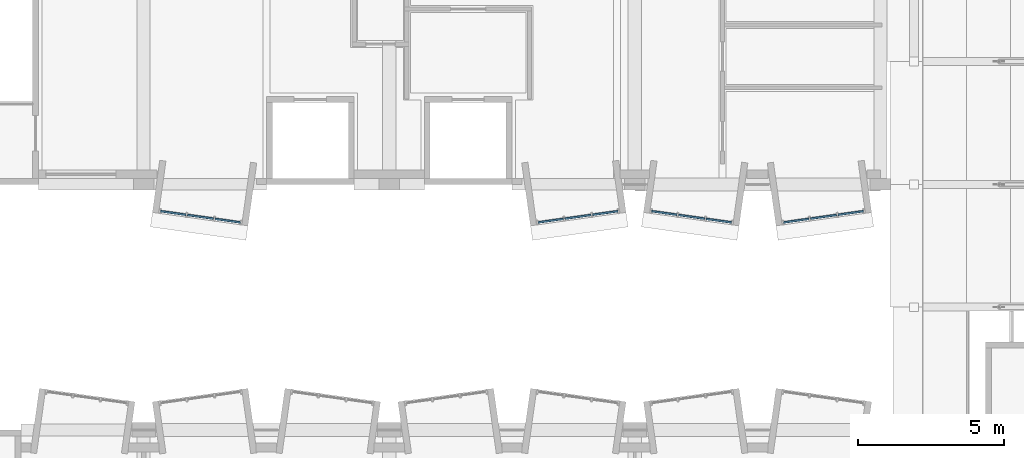
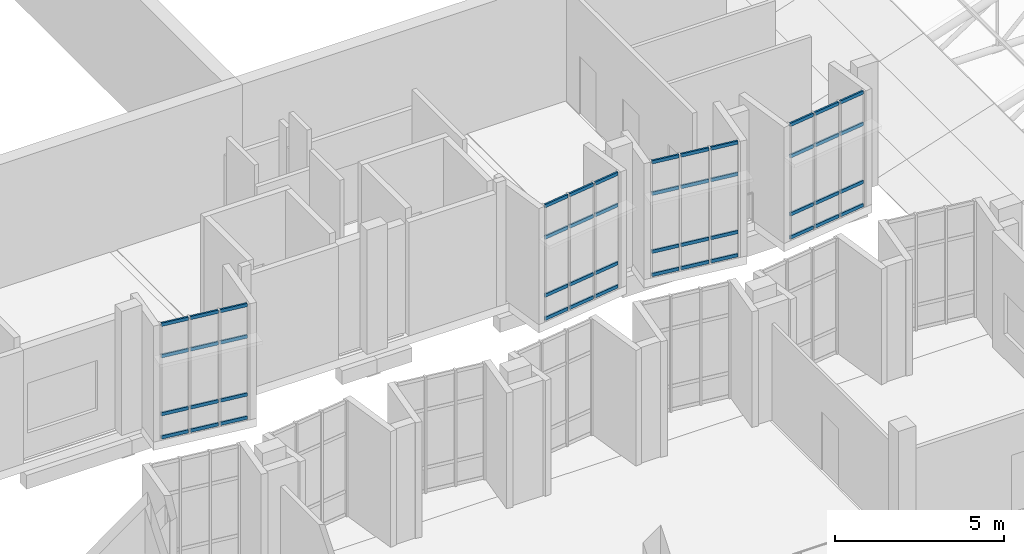
# One storey, part 61 of 95: 48 members, 4 elements without a shape of their own.
"""IFC4 building model written with IfcOpenShell, lengths in metres."""

from ifc_helpers import new_model, si_unit, direction, frame, origin, origin_2d, place, context, subcontext, project, spatial, rectangle, extrude, material, layer, layer_set, material_profile, profile_set, type_object, element, aggregate, save


model = new_model("IFC4")

# Units and contexts
model_context = context("Model", 3, precision=1e-05, world=origin(), true_north=direction((0.0, 1.0)))
body_context = subcontext(model_context, "Body", "Model", "MODEL_VIEW")
ifc_project = project(units=[si_unit("LENGTHUNIT", "METRE"), si_unit("AREAUNIT", "SQUARE_METRE"), si_unit("VOLUMEUNIT", "CUBIC_METRE"), si_unit("PLANEANGLEUNIT", "RADIAN"), si_unit("MASSUNIT", "GRAM", prefix="KILO")], contexts=[model_context])

# Site, building, storey
site_placement = place(None, origin())
site = spatial("IfcSite", under=ifc_project, at=site_placement, CompositionType="ELEMENT")
building_placement = place(site_placement, origin())
building = spatial("IfcBuilding", under=site, at=building_placement, Name="Kiln Court Media Centre", CompositionType="ELEMENT")
storey_placement = place(building_placement, frame((0.0, 0.0, 24.60009765625)))
storey = spatial("IfcBuildingStorey", under=building, at=storey_placement, Name="L05", CompositionType="ELEMENT", Elevation=24.60009765625)

# Curtain wall, members
ifc_material_1 = material(Name="Aluminium 6063-T6", Category="aluminium")
ifc_layer = layer(ifc_material_1, 0.1201171875)
ifc_layer_set = layer_set([ifc_layer], Name="Aluminium unitised bay curtain wall")
curtain_wall_type = type_object("IfcCurtainWallType", Name="Aluminium unitised bay curtain wall", PredefinedType="USERDEFINED", material=ifc_layer_set)
curtain_wall_1_placement = place(storey_placement, origin())
curtain_wall_1 = element("IfcCurtainWall", 1, at=curtain_wall_1_placement, inside=storey, type_object=curtain_wall_type, Name="BAY V4-S-L05-31 front", ObjectType="UNITISED CURTAIN WALL", PredefinedType="USERDEFINED")
ifc_material_2 = material(Name="Aluminium 6063-T6", Category="aluminium")
ifc_material_profile = material_profile(ifc_material_2, rectangle(XDim=0.06005859375, YDim=0.1201171875, at=origin_2d()), Name="Aluminium transom 60x120")
ifc_profile_set = profile_set([ifc_material_profile], Name="Aluminium 6063-T6")
member_type = type_object("IfcMemberType", Name="Aluminium transom 60x120", PredefinedType="USERDEFINED", material=ifc_profile_set)
member_1_placement = place(storey_placement, frame((8.982421875, 32.68212890625, 0.059814453125), z_axis=(0.990273563383, -0.139133998951, 0.0), x_axis=(0.139133998951, 0.990273563383, 0.0)))
member_1 = element("IfcMember", 2, at=member_1_placement, type_object=member_type, Name="CW5-01 transom 1.1", ObjectType="TRANSOM", PredefinedType="USERDEFINED", context=body_context, shape_type="SweptSolid", body=[
    extrude(rectangle(XDim=0.06005859375, YDim=0.1201171875, at=origin_2d()), origin(), (0.0, 0.0, 1.0), 0.866943359375),
])
member_2_placement = place(storey_placement, frame((8.982421875, 32.68212890625, 0.89990234375), z_axis=(0.990273563383, -0.139133998951, 0.0), x_axis=(0.139133998951, 0.990273563383, 0.0)))
member_2 = element("IfcMember", 3, at=member_2_placement, type_object=member_type, Name="CW5-01 transom 1.2", ObjectType="TRANSOM", PredefinedType="USERDEFINED", context=body_context, shape_type="SweptSolid", body=[
    extrude(rectangle(XDim=0.06005859375, YDim=0.1201171875, at=origin_2d()), origin(), (0.0, 0.0, 1.0), 0.866943359375),
])
member_3_placement = place(storey_placement, frame((8.982421875, 32.68212890625, 3.0), z_axis=(0.990273563383, -0.139133998951, 0.0), x_axis=(0.139133998951, 0.990273563383, 0.0)))
member_3 = element("IfcMember", 4, at=member_3_placement, type_object=member_type, Name="CW5-01 transom 1.3", ObjectType="TRANSOM", PredefinedType="USERDEFINED", context=body_context, shape_type="SweptSolid", body=[
    extrude(rectangle(XDim=0.06005859375, YDim=0.1201171875, at=origin_2d()), origin(), (0.0, 0.0, 1.0), 0.866943359375),
])
member_4_placement = place(storey_placement, frame((8.982421875, 32.68212890625, 4.139892578125), z_axis=(0.990273563383, -0.139133998951, 0.0), x_axis=(0.139133998951, 0.990273563383, 0.0)))
member_4 = element("IfcMember", 5, at=member_4_placement, type_object=member_type, Name="CW5-01 transom 1.4", ObjectType="TRANSOM", PredefinedType="USERDEFINED", context=body_context, shape_type="SweptSolid", body=[
    extrude(rectangle(XDim=0.06005859375, YDim=0.1201171875, at=origin_2d()), origin(), (0.0, 0.0, 1.0), 0.866943359375),
])
member_5_placement = place(storey_placement, frame((9.900146484375, 32.55322265625, 0.059814453125), z_axis=(0.990273584723, -0.13913384707, 0.0), x_axis=(0.13913384707, 0.990273584723, 0.0)))
member_5 = element("IfcMember", 6, at=member_5_placement, type_object=member_type, Name="CW5-01 transom 2.1", ObjectType="TRANSOM", PredefinedType="USERDEFINED", context=body_context, shape_type="SweptSolid", body=[
    extrude(rectangle(XDim=0.06005859375, YDim=0.1201171875, at=origin_2d()), origin(), (0.0, 0.0, 1.0), 0.896728515625),
])
member_6_placement = place(storey_placement, frame((9.900146484375, 32.55322265625, 0.89990234375), z_axis=(0.990273584723, -0.13913384707, 0.0), x_axis=(0.13913384707, 0.990273584723, 0.0)))
member_6 = element("IfcMember", 7, at=member_6_placement, type_object=member_type, Name="CW5-01 transom 2.2", ObjectType="TRANSOM", PredefinedType="USERDEFINED", context=body_context, shape_type="SweptSolid", body=[
    extrude(rectangle(XDim=0.06005859375, YDim=0.1201171875, at=origin_2d()), origin(), (0.0, 0.0, 1.0), 0.896728515625),
])
member_7_placement = place(storey_placement, frame((9.900146484375, 32.55322265625, 3.0), z_axis=(0.990273584723, -0.13913384707, 0.0), x_axis=(0.13913384707, 0.990273584723, 0.0)))
member_7 = element("IfcMember", 8, at=member_7_placement, type_object=member_type, Name="CW5-01 transom 2.3", ObjectType="TRANSOM", PredefinedType="USERDEFINED", context=body_context, shape_type="SweptSolid", body=[
    extrude(rectangle(XDim=0.06005859375, YDim=0.1201171875, at=origin_2d()), origin(), (0.0, 0.0, 1.0), 0.896728515625),
])
member_8_placement = place(storey_placement, frame((9.900146484375, 32.55322265625, 4.139892578125), z_axis=(0.990273584723, -0.13913384707, 0.0), x_axis=(0.13913384707, 0.990273584723, 0.0)))
member_8 = element("IfcMember", 9, at=member_8_placement, type_object=member_type, Name="CW5-01 transom 2.4", ObjectType="TRANSOM", PredefinedType="USERDEFINED", context=body_context, shape_type="SweptSolid", body=[
    extrude(rectangle(XDim=0.06005859375, YDim=0.1201171875, at=origin_2d()), origin(), (0.0, 0.0, 1.0), 0.896728515625),
])
member_9_placement = place(storey_placement, frame((10.84765625, 32.420166015625, 0.059814453125), z_axis=(0.990268108888, -0.139172815303, 0.0), x_axis=(0.139172815303, 0.990268108888, 0.0)))
member_9 = element("IfcMember", 10, at=member_9_placement, type_object=member_type, Name="CW5-01 transom 3.1", ObjectType="TRANSOM", PredefinedType="USERDEFINED", context=body_context, shape_type="SweptSolid", body=[
    extrude(rectangle(XDim=0.06005859375, YDim=0.1201171875, at=origin_2d()), origin(), (0.0, 0.0, 1.0), 0.86669921875),
])
member_10_placement = place(storey_placement, frame((10.84765625, 32.420166015625, 0.89990234375), z_axis=(0.990268108888, -0.139172815303, 0.0), x_axis=(0.139172815303, 0.990268108888, 0.0)))
member_10 = element("IfcMember", 11, at=member_10_placement, type_object=member_type, Name="CW5-01 transom 3.2", ObjectType="TRANSOM", PredefinedType="USERDEFINED", context=body_context, shape_type="SweptSolid", body=[
    extrude(rectangle(XDim=0.06005859375, YDim=0.1201171875, at=origin_2d()), origin(), (0.0, 0.0, 1.0), 0.86669921875),
])
member_11_placement = place(storey_placement, frame((10.84765625, 32.420166015625, 3.0), z_axis=(0.990268108888, -0.139172815303, 0.0), x_axis=(0.139172815303, 0.990268108888, 0.0)))
member_11 = element("IfcMember", 12, at=member_11_placement, type_object=member_type, Name="CW5-01 transom 3.3", ObjectType="TRANSOM", PredefinedType="USERDEFINED", context=body_context, shape_type="SweptSolid", body=[
    extrude(rectangle(XDim=0.06005859375, YDim=0.1201171875, at=origin_2d()), origin(), (0.0, 0.0, 1.0), 0.86669921875),
])
member_12_placement = place(storey_placement, frame((10.84765625, 32.420166015625, 4.139892578125), z_axis=(0.990268108888, -0.139172815303, 0.0), x_axis=(0.139172815303, 0.990268108888, 0.0)))
member_12 = element("IfcMember", 13, at=member_12_placement, type_object=member_type, Name="CW5-01 transom 3.4", ObjectType="TRANSOM", PredefinedType="USERDEFINED", context=body_context, shape_type="SweptSolid", body=[
    extrude(rectangle(XDim=0.06005859375, YDim=0.1201171875, at=origin_2d()), origin(), (0.0, 0.0, 1.0), 0.86669921875),
])
aggregate(curtain_wall_1, [member_1, member_2, member_3, member_4, member_5, member_6, member_7, member_8, member_9, member_10, member_11, member_12])

curtain_wall_2_placement = place(storey_placement, origin())
curtain_wall_2 = element("IfcCurtainWall", 14, at=curtain_wall_2_placement, inside=storey, type_object=curtain_wall_type, Name="BAY V4-S-L05-34 front", ObjectType="UNITISED CURTAIN WALL", PredefinedType="USERDEFINED")
member_13_placement = place(storey_placement, frame((21.894287109375, 32.299560546875, 0.059814453125), z_axis=(0.990268108888, 0.139172815303, 0.0), x_axis=(-0.139172815303, 0.990268108888, 0.0)))
member_13 = element("IfcMember", 15, at=member_13_placement, type_object=member_type, Name="CW5-02 transom 1.1", ObjectType="TRANSOM", PredefinedType="USERDEFINED", context=body_context, shape_type="SweptSolid", body=[
    extrude(rectangle(XDim=0.06005859375, YDim=0.1201171875, at=origin_2d()), origin(), (0.0, 0.0, 1.0), 0.86669921875),
])
member_14_placement = place(storey_placement, frame((21.894287109375, 32.299560546875, 0.89990234375), z_axis=(0.990268108888, 0.139172815303, 0.0), x_axis=(-0.139172815303, 0.990268108888, 0.0)))
member_14 = element("IfcMember", 16, at=member_14_placement, type_object=member_type, Name="CW5-02 transom 1.2", ObjectType="TRANSOM", PredefinedType="USERDEFINED", context=body_context, shape_type="SweptSolid", body=[
    extrude(rectangle(XDim=0.06005859375, YDim=0.1201171875, at=origin_2d()), origin(), (0.0, 0.0, 1.0), 0.86669921875),
])
member_15_placement = place(storey_placement, frame((21.894287109375, 32.299560546875, 3.0), z_axis=(0.990268108888, 0.139172815303, 0.0), x_axis=(-0.139172815303, 0.990268108888, 0.0)))
member_15 = element("IfcMember", 17, at=member_15_placement, type_object=member_type, Name="CW5-02 transom 1.3", ObjectType="TRANSOM", PredefinedType="USERDEFINED", context=body_context, shape_type="SweptSolid", body=[
    extrude(rectangle(XDim=0.06005859375, YDim=0.1201171875, at=origin_2d()), origin(), (0.0, 0.0, 1.0), 0.86669921875),
])
member_16_placement = place(storey_placement, frame((21.894287109375, 32.299560546875, 4.139892578125), z_axis=(0.990268108888, 0.139172815303, 0.0), x_axis=(-0.139172815303, 0.990268108888, 0.0)))
member_16 = element("IfcMember", 18, at=member_16_placement, type_object=member_type, Name="CW5-02 transom 1.4", ObjectType="TRANSOM", PredefinedType="USERDEFINED", context=body_context, shape_type="SweptSolid", body=[
    extrude(rectangle(XDim=0.06005859375, YDim=0.1201171875, at=origin_2d()), origin(), (0.0, 0.0, 1.0), 0.86669921875),
])
member_17_placement = place(storey_placement, frame((22.811767578125, 32.428466796875, 0.059814453125), z_axis=(0.990273584723, 0.13913384707, 0.0), x_axis=(-0.13913384707, 0.990273584723, 0.0)))
member_17 = element("IfcMember", 19, at=member_17_placement, type_object=member_type, Name="CW5-02 transom 2.1", ObjectType="TRANSOM", PredefinedType="USERDEFINED", context=body_context, shape_type="SweptSolid", body=[
    extrude(rectangle(XDim=0.06005859375, YDim=0.1201171875, at=origin_2d()), origin(), (0.0, 0.0, 1.0), 0.896728515625),
])
member_18_placement = place(storey_placement, frame((22.811767578125, 32.428466796875, 0.89990234375), z_axis=(0.990273584723, 0.13913384707, 0.0), x_axis=(-0.13913384707, 0.990273584723, 0.0)))
member_18 = element("IfcMember", 20, at=member_18_placement, type_object=member_type, Name="CW5-02 transom 2.2", ObjectType="TRANSOM", PredefinedType="USERDEFINED", context=body_context, shape_type="SweptSolid", body=[
    extrude(rectangle(XDim=0.06005859375, YDim=0.1201171875, at=origin_2d()), origin(), (0.0, 0.0, 1.0), 0.896728515625),
])
member_19_placement = place(storey_placement, frame((22.811767578125, 32.428466796875, 3.0), z_axis=(0.990273584723, 0.13913384707, 0.0), x_axis=(-0.13913384707, 0.990273584723, 0.0)))
member_19 = element("IfcMember", 21, at=member_19_placement, type_object=member_type, Name="CW5-02 transom 2.3", ObjectType="TRANSOM", PredefinedType="USERDEFINED", context=body_context, shape_type="SweptSolid", body=[
    extrude(rectangle(XDim=0.06005859375, YDim=0.1201171875, at=origin_2d()), origin(), (0.0, 0.0, 1.0), 0.896728515625),
])
member_20_placement = place(storey_placement, frame((22.811767578125, 32.428466796875, 4.139892578125), z_axis=(0.990273584723, 0.13913384707, 0.0), x_axis=(-0.13913384707, 0.990273584723, 0.0)))
member_20 = element("IfcMember", 22, at=member_20_placement, type_object=member_type, Name="CW5-02 transom 2.4", ObjectType="TRANSOM", PredefinedType="USERDEFINED", context=body_context, shape_type="SweptSolid", body=[
    extrude(rectangle(XDim=0.06005859375, YDim=0.1201171875, at=origin_2d()), origin(), (0.0, 0.0, 1.0), 0.896728515625),
])
member_21_placement = place(storey_placement, frame((23.75927734375, 32.5615234375, 0.059814453125), z_axis=(0.990268108888, 0.139172815303, 0.0), x_axis=(-0.139172815303, 0.990268108888, 0.0)))
member_21 = element("IfcMember", 23, at=member_21_placement, type_object=member_type, Name="CW5-02 transom 3.1", ObjectType="TRANSOM", PredefinedType="USERDEFINED", context=body_context, shape_type="SweptSolid", body=[
    extrude(rectangle(XDim=0.06005859375, YDim=0.1201171875, at=origin_2d()), origin(), (0.0, 0.0, 1.0), 0.86669921875),
])
member_22_placement = place(storey_placement, frame((23.75927734375, 32.5615234375, 0.89990234375), z_axis=(0.990268108888, 0.139172815303, 0.0), x_axis=(-0.139172815303, 0.990268108888, 0.0)))
member_22 = element("IfcMember", 24, at=member_22_placement, type_object=member_type, Name="CW5-02 transom 3.2", ObjectType="TRANSOM", PredefinedType="USERDEFINED", context=body_context, shape_type="SweptSolid", body=[
    extrude(rectangle(XDim=0.06005859375, YDim=0.1201171875, at=origin_2d()), origin(), (0.0, 0.0, 1.0), 0.86669921875),
])
member_23_placement = place(storey_placement, frame((23.75927734375, 32.5615234375, 3.0), z_axis=(0.990268108888, 0.139172815303, 0.0), x_axis=(-0.139172815303, 0.990268108888, 0.0)))
member_23 = element("IfcMember", 25, at=member_23_placement, type_object=member_type, Name="CW5-02 transom 3.3", ObjectType="TRANSOM", PredefinedType="USERDEFINED", context=body_context, shape_type="SweptSolid", body=[
    extrude(rectangle(XDim=0.06005859375, YDim=0.1201171875, at=origin_2d()), origin(), (0.0, 0.0, 1.0), 0.86669921875),
])
member_24_placement = place(storey_placement, frame((23.75927734375, 32.5615234375, 4.139892578125), z_axis=(0.990268108888, 0.139172815303, 0.0), x_axis=(-0.139172815303, 0.990268108888, 0.0)))
member_24 = element("IfcMember", 26, at=member_24_placement, type_object=member_type, Name="CW5-02 transom 3.4", ObjectType="TRANSOM", PredefinedType="USERDEFINED", context=body_context, shape_type="SweptSolid", body=[
    extrude(rectangle(XDim=0.06005859375, YDim=0.1201171875, at=origin_2d()), origin(), (0.0, 0.0, 1.0), 0.86669921875),
])
aggregate(curtain_wall_2, [member_13, member_14, member_15, member_16, member_17, member_18, member_19, member_20, member_21, member_22, member_23, member_24])

curtain_wall_3_placement = place(storey_placement, origin())
curtain_wall_3 = element("IfcCurtainWall", 27, at=curtain_wall_3_placement, inside=storey, type_object=curtain_wall_type, Name="BAY V4-S-L05-35 front", ObjectType="UNITISED CURTAIN WALL", PredefinedType="USERDEFINED")
member_25_placement = place(storey_placement, frame((25.782470703125, 32.68212890625, 0.059814453125), z_axis=(0.990273563383, -0.139133998951, 0.0), x_axis=(0.139133998951, 0.990273563383, 0.0)))
member_25 = element("IfcMember", 28, at=member_25_placement, type_object=member_type, Name="CW5-03 transom 1.1", ObjectType="TRANSOM", PredefinedType="USERDEFINED", context=body_context, shape_type="SweptSolid", body=[
    extrude(rectangle(XDim=0.06005859375, YDim=0.1201171875, at=origin_2d()), origin(), (0.0, 0.0, 1.0), 0.866943359375),
])
member_26_placement = place(storey_placement, frame((25.782470703125, 32.68212890625, 0.89990234375), z_axis=(0.990273563383, -0.139133998951, 0.0), x_axis=(0.139133998951, 0.990273563383, 0.0)))
member_26 = element("IfcMember", 29, at=member_26_placement, type_object=member_type, Name="CW5-03 transom 1.2", ObjectType="TRANSOM", PredefinedType="USERDEFINED", context=body_context, shape_type="SweptSolid", body=[
    extrude(rectangle(XDim=0.06005859375, YDim=0.1201171875, at=origin_2d()), origin(), (0.0, 0.0, 1.0), 0.866943359375),
])
member_27_placement = place(storey_placement, frame((25.782470703125, 32.68212890625, 3.0), z_axis=(0.990273563383, -0.139133998951, 0.0), x_axis=(0.139133998951, 0.990273563383, 0.0)))
member_27 = element("IfcMember", 30, at=member_27_placement, type_object=member_type, Name="CW5-03 transom 1.3", ObjectType="TRANSOM", PredefinedType="USERDEFINED", context=body_context, shape_type="SweptSolid", body=[
    extrude(rectangle(XDim=0.06005859375, YDim=0.1201171875, at=origin_2d()), origin(), (0.0, 0.0, 1.0), 0.866943359375),
])
member_28_placement = place(storey_placement, frame((25.782470703125, 32.68212890625, 4.139892578125), z_axis=(0.990273563383, -0.139133998951, 0.0), x_axis=(0.139133998951, 0.990273563383, 0.0)))
member_28 = element("IfcMember", 31, at=member_28_placement, type_object=member_type, Name="CW5-03 transom 1.4", ObjectType="TRANSOM", PredefinedType="USERDEFINED", context=body_context, shape_type="SweptSolid", body=[
    extrude(rectangle(XDim=0.06005859375, YDim=0.1201171875, at=origin_2d()), origin(), (0.0, 0.0, 1.0), 0.866943359375),
])
member_29_placement = place(storey_placement, frame((26.7001953125, 32.55322265625, 0.059814453125), z_axis=(0.990273584723, -0.13913384707, 0.0), x_axis=(0.13913384707, 0.990273584723, 0.0)))
member_29 = element("IfcMember", 32, at=member_29_placement, type_object=member_type, Name="CW5-03 transom 2.1", ObjectType="TRANSOM", PredefinedType="USERDEFINED", context=body_context, shape_type="SweptSolid", body=[
    extrude(rectangle(XDim=0.06005859375, YDim=0.1201171875, at=origin_2d()), origin(), (0.0, 0.0, 1.0), 0.896728515625),
])
member_30_placement = place(storey_placement, frame((26.7001953125, 32.55322265625, 0.89990234375), z_axis=(0.990273584723, -0.13913384707, 0.0), x_axis=(0.13913384707, 0.990273584723, 0.0)))
member_30 = element("IfcMember", 33, at=member_30_placement, type_object=member_type, Name="CW5-03 transom 2.2", ObjectType="TRANSOM", PredefinedType="USERDEFINED", context=body_context, shape_type="SweptSolid", body=[
    extrude(rectangle(XDim=0.06005859375, YDim=0.1201171875, at=origin_2d()), origin(), (0.0, 0.0, 1.0), 0.896728515625),
])
member_31_placement = place(storey_placement, frame((26.7001953125, 32.55322265625, 3.0), z_axis=(0.990273584723, -0.13913384707, 0.0), x_axis=(0.13913384707, 0.990273584723, 0.0)))
member_31 = element("IfcMember", 34, at=member_31_placement, type_object=member_type, Name="CW5-03 transom 2.3", ObjectType="TRANSOM", PredefinedType="USERDEFINED", context=body_context, shape_type="SweptSolid", body=[
    extrude(rectangle(XDim=0.06005859375, YDim=0.1201171875, at=origin_2d()), origin(), (0.0, 0.0, 1.0), 0.896728515625),
])
member_32_placement = place(storey_placement, frame((26.7001953125, 32.55322265625, 4.139892578125), z_axis=(0.990273584723, -0.13913384707, 0.0), x_axis=(0.13913384707, 0.990273584723, 0.0)))
member_32 = element("IfcMember", 35, at=member_32_placement, type_object=member_type, Name="CW5-03 transom 2.4", ObjectType="TRANSOM", PredefinedType="USERDEFINED", context=body_context, shape_type="SweptSolid", body=[
    extrude(rectangle(XDim=0.06005859375, YDim=0.1201171875, at=origin_2d()), origin(), (0.0, 0.0, 1.0), 0.896728515625),
])
member_33_placement = place(storey_placement, frame((27.6474609375, 32.420166015625, 0.059814453125), z_axis=(0.990273563383, -0.139133998951, 0.0), x_axis=(0.139133998951, 0.990273563383, 0.0)))
member_33 = element("IfcMember", 36, at=member_33_placement, type_object=member_type, Name="CW5-03 transom 3.1", ObjectType="TRANSOM", PredefinedType="USERDEFINED", context=body_context, shape_type="SweptSolid", body=[
    extrude(rectangle(XDim=0.06005859375, YDim=0.1201171875, at=origin_2d()), origin(), (0.0, 0.0, 1.0), 0.866943359375),
])
member_34_placement = place(storey_placement, frame((27.6474609375, 32.420166015625, 0.89990234375), z_axis=(0.990273563383, -0.139133998951, 0.0), x_axis=(0.139133998951, 0.990273563383, 0.0)))
member_34 = element("IfcMember", 37, at=member_34_placement, type_object=member_type, Name="CW5-03 transom 3.2", ObjectType="TRANSOM", PredefinedType="USERDEFINED", context=body_context, shape_type="SweptSolid", body=[
    extrude(rectangle(XDim=0.06005859375, YDim=0.1201171875, at=origin_2d()), origin(), (0.0, 0.0, 1.0), 0.866943359375),
])
member_35_placement = place(storey_placement, frame((27.6474609375, 32.420166015625, 3.0), z_axis=(0.990273563383, -0.139133998951, 0.0), x_axis=(0.139133998951, 0.990273563383, 0.0)))
member_35 = element("IfcMember", 38, at=member_35_placement, type_object=member_type, Name="CW5-03 transom 3.3", ObjectType="TRANSOM", PredefinedType="USERDEFINED", context=body_context, shape_type="SweptSolid", body=[
    extrude(rectangle(XDim=0.06005859375, YDim=0.1201171875, at=origin_2d()), origin(), (0.0, 0.0, 1.0), 0.866943359375),
])
member_36_placement = place(storey_placement, frame((27.6474609375, 32.420166015625, 4.139892578125), z_axis=(0.990273563383, -0.139133998951, 0.0), x_axis=(0.139133998951, 0.990273563383, 0.0)))
member_36 = element("IfcMember", 39, at=member_36_placement, type_object=member_type, Name="CW5-03 transom 3.4", ObjectType="TRANSOM", PredefinedType="USERDEFINED", context=body_context, shape_type="SweptSolid", body=[
    extrude(rectangle(XDim=0.06005859375, YDim=0.1201171875, at=origin_2d()), origin(), (0.0, 0.0, 1.0), 0.866943359375),
])
aggregate(curtain_wall_3, [member_25, member_26, member_27, member_28, member_29, member_30, member_31, member_32, member_33, member_34, member_35, member_36])

curtain_wall_4_placement = place(storey_placement, origin())
curtain_wall_4 = element("IfcCurtainWall", 40, at=curtain_wall_4_placement, inside=storey, type_object=curtain_wall_type, Name="BAY V4-S-L05-36 front", ObjectType="UNITISED CURTAIN WALL", PredefinedType="USERDEFINED")
member_37_placement = place(storey_placement, frame((30.294189453125, 32.299560546875, 0.059814453125), z_axis=(0.990268108888, 0.139172815303, 0.0), x_axis=(-0.139172815303, 0.990268108888, 0.0)))
member_37 = element("IfcMember", 41, at=member_37_placement, type_object=member_type, Name="CW5-04 transom 1.1", ObjectType="TRANSOM", PredefinedType="USERDEFINED", context=body_context, shape_type="SweptSolid", body=[
    extrude(rectangle(XDim=0.06005859375, YDim=0.1201171875, at=origin_2d()), origin(), (0.0, 0.0, 1.0), 0.86669921875),
])
member_38_placement = place(storey_placement, frame((30.294189453125, 32.299560546875, 0.89990234375), z_axis=(0.990268108888, 0.139172815303, 0.0), x_axis=(-0.139172815303, 0.990268108888, 0.0)))
member_38 = element("IfcMember", 42, at=member_38_placement, type_object=member_type, Name="CW5-04 transom 1.2", ObjectType="TRANSOM", PredefinedType="USERDEFINED", context=body_context, shape_type="SweptSolid", body=[
    extrude(rectangle(XDim=0.06005859375, YDim=0.1201171875, at=origin_2d()), origin(), (0.0, 0.0, 1.0), 0.86669921875),
])
member_39_placement = place(storey_placement, frame((30.294189453125, 32.299560546875, 3.0), z_axis=(0.990268108888, 0.139172815303, 0.0), x_axis=(-0.139172815303, 0.990268108888, 0.0)))
member_39 = element("IfcMember", 43, at=member_39_placement, type_object=member_type, Name="CW5-04 transom 1.3", ObjectType="TRANSOM", PredefinedType="USERDEFINED", context=body_context, shape_type="SweptSolid", body=[
    extrude(rectangle(XDim=0.06005859375, YDim=0.1201171875, at=origin_2d()), origin(), (0.0, 0.0, 1.0), 0.86669921875),
])
member_40_placement = place(storey_placement, frame((30.294189453125, 32.299560546875, 4.139892578125), z_axis=(0.990268108888, 0.139172815303, 0.0), x_axis=(-0.139172815303, 0.990268108888, 0.0)))
member_40 = element("IfcMember", 44, at=member_40_placement, type_object=member_type, Name="CW5-04 transom 1.4", ObjectType="TRANSOM", PredefinedType="USERDEFINED", context=body_context, shape_type="SweptSolid", body=[
    extrude(rectangle(XDim=0.06005859375, YDim=0.1201171875, at=origin_2d()), origin(), (0.0, 0.0, 1.0), 0.86669921875),
])
member_41_placement = place(storey_placement, frame((31.2119140625, 32.428466796875, 0.059814453125), z_axis=(0.990273584723, 0.13913384707, 0.0), x_axis=(-0.13913384707, 0.990273584723, 0.0)))
member_41 = element("IfcMember", 45, at=member_41_placement, type_object=member_type, Name="CW5-04 transom 2.1", ObjectType="TRANSOM", PredefinedType="USERDEFINED", context=body_context, shape_type="SweptSolid", body=[
    extrude(rectangle(XDim=0.06005859375, YDim=0.1201171875, at=origin_2d()), origin(), (0.0, 0.0, 1.0), 0.896728515625),
])
member_42_placement = place(storey_placement, frame((31.2119140625, 32.428466796875, 0.89990234375), z_axis=(0.990273584723, 0.13913384707, 0.0), x_axis=(-0.13913384707, 0.990273584723, 0.0)))
member_42 = element("IfcMember", 46, at=member_42_placement, type_object=member_type, Name="CW5-04 transom 2.2", ObjectType="TRANSOM", PredefinedType="USERDEFINED", context=body_context, shape_type="SweptSolid", body=[
    extrude(rectangle(XDim=0.06005859375, YDim=0.1201171875, at=origin_2d()), origin(), (0.0, 0.0, 1.0), 0.896728515625),
])
member_43_placement = place(storey_placement, frame((31.2119140625, 32.428466796875, 3.0), z_axis=(0.990273584723, 0.13913384707, 0.0), x_axis=(-0.13913384707, 0.990273584723, 0.0)))
member_43 = element("IfcMember", 47, at=member_43_placement, type_object=member_type, Name="CW5-04 transom 2.3", ObjectType="TRANSOM", PredefinedType="USERDEFINED", context=body_context, shape_type="SweptSolid", body=[
    extrude(rectangle(XDim=0.06005859375, YDim=0.1201171875, at=origin_2d()), origin(), (0.0, 0.0, 1.0), 0.896728515625),
])
member_44_placement = place(storey_placement, frame((31.2119140625, 32.428466796875, 4.139892578125), z_axis=(0.990273584723, 0.13913384707, 0.0), x_axis=(-0.13913384707, 0.990273584723, 0.0)))
member_44 = element("IfcMember", 48, at=member_44_placement, type_object=member_type, Name="CW5-04 transom 2.4", ObjectType="TRANSOM", PredefinedType="USERDEFINED", context=body_context, shape_type="SweptSolid", body=[
    extrude(rectangle(XDim=0.06005859375, YDim=0.1201171875, at=origin_2d()), origin(), (0.0, 0.0, 1.0), 0.896728515625),
])
member_45_placement = place(storey_placement, frame((32.1591796875, 32.5615234375, 0.059814453125), z_axis=(0.990273563383, 0.139133998951, 0.0), x_axis=(-0.139133998951, 0.990273563383, 0.0)))
member_45 = element("IfcMember", 49, at=member_45_placement, type_object=member_type, Name="CW5-04 transom 3.1", ObjectType="TRANSOM", PredefinedType="USERDEFINED", context=body_context, shape_type="SweptSolid", body=[
    extrude(rectangle(XDim=0.06005859375, YDim=0.1201171875, at=origin_2d()), origin(), (0.0, 0.0, 1.0), 0.866943359375),
])
member_46_placement = place(storey_placement, frame((32.1591796875, 32.5615234375, 0.89990234375), z_axis=(0.990273563383, 0.139133998951, 0.0), x_axis=(-0.139133998951, 0.990273563383, 0.0)))
member_46 = element("IfcMember", 50, at=member_46_placement, type_object=member_type, Name="CW5-04 transom 3.2", ObjectType="TRANSOM", PredefinedType="USERDEFINED", context=body_context, shape_type="SweptSolid", body=[
    extrude(rectangle(XDim=0.06005859375, YDim=0.1201171875, at=origin_2d()), origin(), (0.0, 0.0, 1.0), 0.866943359375),
])
member_47_placement = place(storey_placement, frame((32.1591796875, 32.5615234375, 3.0), z_axis=(0.990273563383, 0.139133998951, 0.0), x_axis=(-0.139133998951, 0.990273563383, 0.0)))
member_47 = element("IfcMember", 51, at=member_47_placement, type_object=member_type, Name="CW5-04 transom 3.3", ObjectType="TRANSOM", PredefinedType="USERDEFINED", context=body_context, shape_type="SweptSolid", body=[
    extrude(rectangle(XDim=0.06005859375, YDim=0.1201171875, at=origin_2d()), origin(), (0.0, 0.0, 1.0), 0.866943359375),
])
member_48_placement = place(storey_placement, frame((32.1591796875, 32.5615234375, 4.139892578125), z_axis=(0.990273563383, 0.139133998951, 0.0), x_axis=(-0.139133998951, 0.990273563383, 0.0)))
member_48 = element("IfcMember", 52, at=member_48_placement, type_object=member_type, Name="CW5-04 transom 3.4", ObjectType="TRANSOM", PredefinedType="USERDEFINED", context=body_context, shape_type="SweptSolid", body=[
    extrude(rectangle(XDim=0.06005859375, YDim=0.1201171875, at=origin_2d()), origin(), (0.0, 0.0, 1.0), 0.866943359375),
])
aggregate(curtain_wall_4, [member_37, member_38, member_39, member_40, member_41, member_42, member_43, member_44, member_45, member_46, member_47, member_48])

save(model, "model.ifc")
